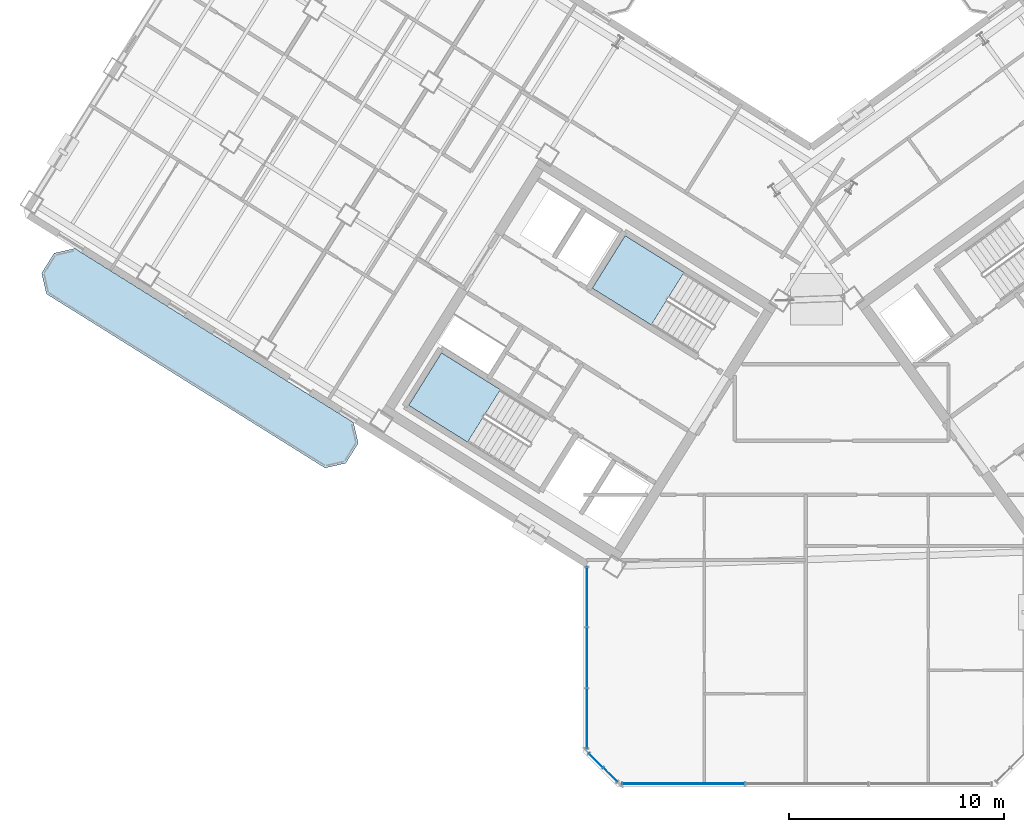
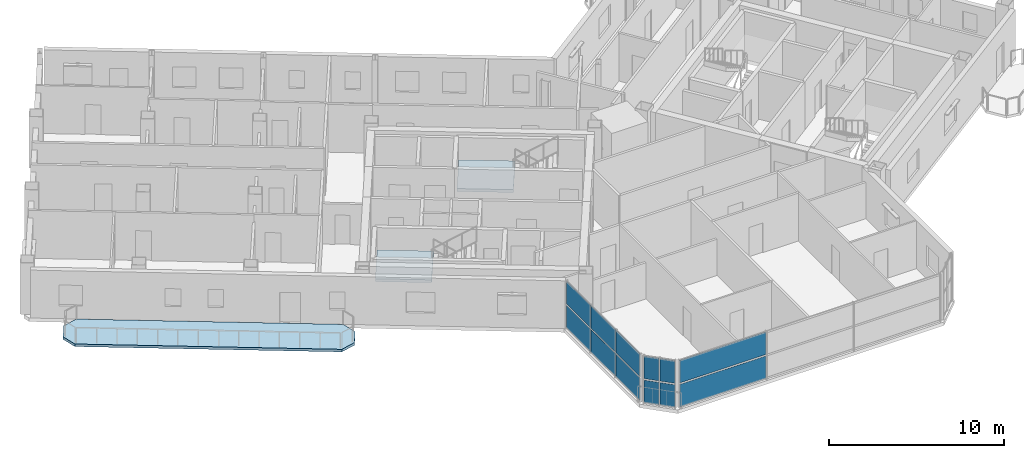
# One storey, part 8 of 23: 12 plates, 3 slabs, 5 elements without a shape of their own.
"""IFC4 building model written with IfcOpenShell, lengths in metres."""

from ifc_helpers import new_model, si_unit, direction, frame, origin, origin_2d, place, context, subcontext, project, spatial, polyline, rectangle, outline, extrude, source, transform, mapped, material, layer, layer_set, type_object, element, aggregate, save


model = new_model("IFC4")

# Units and contexts
model_context = context("Model", 3, precision=1e-05, world=origin(), true_north=direction((0.0, 1.0)))
body_context = subcontext(model_context, "Body", "Model", "MODEL_VIEW")
ifc_project = project(units=[si_unit("LENGTHUNIT", "METRE"), si_unit("AREAUNIT", "SQUARE_METRE"), si_unit("VOLUMEUNIT", "CUBIC_METRE"), si_unit("PLANEANGLEUNIT", "RADIAN"), si_unit("MASSUNIT", "GRAM", prefix="KILO")], contexts=[model_context])

# Site, building, storey
site_placement = place(None, origin())
site = spatial("IfcSite", under=ifc_project, at=site_placement, CompositionType="ELEMENT")
building_placement = place(site_placement, origin())
building = spatial("IfcBuilding", under=site, at=building_placement, Name="Tlacorven Tower", CompositionType="ELEMENT")
storey_placement = place(building_placement, frame((0.0, 0.0, 218.39990234375)))
storey = spatial("IfcBuildingStorey", under=building, at=storey_placement, Name="L55", CompositionType="ELEMENT", Elevation=218.39990234375)

# Slab
ifc_material_1 = material(Name="Precast concrete C45/55", Category="concrete")
ifc_layer_1 = layer(ifc_material_1, 0.179931640625)
ifc_layer_set_1 = layer_set([ifc_layer_1], Name="Precast concrete C45/55")
slab_type_1 = type_object("IfcSlabType", Name="SL-BAL-180", PredefinedType="USERDEFINED", material=ifc_layer_set_1)
slab_1_placement = place(storey_placement, frame((0.0, 0.0, -0.179931640625)))
element("IfcSlab", 1, at=slab_1_placement, inside=storey, type_object=slab_type_1, Name="L55 West Wing Balcony Ribbon OUT", ObjectType="BALCONY SLAB", PredefinedType="USERDEFINED", context=body_context, shape_type="SweptSolid", body=[
    extrude(outline(polyline([(20.88671875, 18.78271484375), (7.91162109375, 26.890625), (6.947021484375, 26.66796875), (6.366943359375, 25.7392578125), (6.589599609375, 24.774658203125), (19.564697265625, 16.6669921875), (20.529296875, 16.8896484375), (21.109375, 17.818115234375), (20.88671875, 18.78271484375)])), origin(), (0.0, 0.0, 1.0), 0.179931640625),
])

# Stair, slab
ifc_material_2 = material(Name="Concrete C40/50", Category="concrete")
stair_type = type_object("IfcStairType", Name="ST-CORE-DLG", PredefinedType="HALF_TURN_STAIR", material=ifc_material_2)
stair_1_placement = place(storey_placement, origin())
stair_1 = element("IfcStair", 2, at=stair_1_placement, inside=storey, type_object=stair_type, Name="L55 Protected Exit Stair West 1", PredefinedType="HALF_TURN_STAIR")
ifc_layer_2 = layer(ifc_material_2, 0.199951171875)
ifc_layer_set_2 = layer_set([ifc_layer_2], Name="Concrete C40/50")
slab_type_2 = type_object("IfcSlabType", Name="SL-LND-200", PredefinedType="LANDING", material=ifc_layer_set_2)
slab_2_placement = place(storey_placement, frame((0.0, 0.0, 1.60009765625)))
slab_2 = element("IfcSlab", 3, at=slab_2_placement, type_object=slab_type_2, Name="ST-W1 landing 1", PredefinedType="LANDING", context=body_context, shape_type="SweptSolid", body=[
    extrude(outline(polyline([(27.728515625, 20.315185546875), (24.9892578125, 22.02685546875), (23.463134765625, 19.58447265625), (26.2021484375, 17.872802734375), (27.728515625, 20.315185546875)])), origin(), (0.0, 0.0, 1.0), 0.199951171875),
])
aggregate(stair_1, [slab_2])

stair_2_placement = place(storey_placement, origin())
stair_2 = element("IfcStair", 4, at=stair_2_placement, inside=storey, type_object=stair_type, Name="L55 Protected Exit Stair West 2", PredefinedType="HALF_TURN_STAIR")
slab_3_placement = place(storey_placement, frame((0.0, 0.0, 1.60009765625)))
slab_3 = element("IfcSlab", 5, at=slab_3_placement, type_object=slab_type_2, Name="ST-W2 landing 1", PredefinedType="LANDING", context=body_context, shape_type="SweptSolid", body=[
    extrude(outline(polyline([(36.280029296875, 25.772705078125), (33.540771484375, 27.484375), (32.0146484375, 25.0419921875), (34.75390625, 23.33056640625), (36.280029296875, 25.772705078125)])), origin(), (0.0, 0.0, 1.0), 0.199951171875),
])
aggregate(stair_2, [slab_3])

# Curtain wall, plates
ifc_material_3 = material(Name="Dark solar low-E double glazing in aluminium frame", Category="aluminium")
curtain_wall_type = type_object("IfcCurtainWallType", Name="CW-TWR-HIGH", PredefinedType="USERDEFINED", material=ifc_material_3)
curtain_wall_1_placement = place(storey_placement, origin())
curtain_wall_1 = element("IfcCurtainWall", 6, at=curtain_wall_1_placement, inside=storey, type_object=curtain_wall_type, Name="L55 CW-TWR-HIGH Curtain Wall 251", ObjectType="UNITISED CURTAIN WALL", PredefinedType="USERDEFINED")
ifc_material_4 = material(Name="High-wind dark solar tempered low-E glazing", Category="glass")
ifc_layer_3 = layer(ifc_material_4, 0.028076171875)
ifc_layer_set_3 = layer_set([ifc_layer_3], Name="High-wind dark solar tempered low-E glazing")
plate_type = type_object("IfcPlateType", Name="CWP-03", PredefinedType="CURTAIN_PANEL", material=ifc_layer_set_3)
shared_shape_1 = source(origin(), body_context, "Body", "SweptSolid", [
    extrude(rectangle(XDim=0.89306640625, YDim=0.028076171875, at=origin_2d()), origin(), (0.0, 0.0, 1.0), 1.572998046875),
])
plate_1_placement = place(storey_placement, frame((32.84375, 2.382568359375, 0.05126953125), z_axis=(0.0, 0.0, 1.0), x_axis=(-0.707106781187, 0.707106781187, 0.0)))
plate_1 = element("IfcPlate", 7, at=plate_1_placement, type_object=plate_type, Name="CW-L55-251 Glazing Panel 1", PredefinedType="CURTAIN_PANEL", context=body_context, shape_type="MappedRepresentation", body=[
    mapped(shared_shape_1, transform((0.0, 0.0, 0.0), scale=1.0)),
])
plate_2_placement = place(storey_placement, frame((32.84375, 2.382568359375, 1.72607421875), z_axis=(0.0, 0.0, 1.0), x_axis=(-0.707106781187, 0.707106781187, 0.0)))
plate_2 = element("IfcPlate", 8, at=plate_2_placement, type_object=plate_type, Name="CW-L55-251 Glazing Panel 2", PredefinedType="CURTAIN_PANEL", context=body_context, shape_type="MappedRepresentation", body=[
    mapped(shared_shape_1, transform((0.0, 0.0, 0.0), scale=1.0)),
])
plate_3_placement = place(storey_placement, frame((32.1826171875, 3.043701171875, 0.05126953125), z_axis=(0.0, 0.0, 1.0), x_axis=(-0.707106781187, 0.707106781187, 0.0)))
plate_3 = element("IfcPlate", 9, at=plate_3_placement, type_object=plate_type, Name="CW-L55-251 Glazing Panel 3", PredefinedType="CURTAIN_PANEL", context=body_context, shape_type="MappedRepresentation", body=[
    mapped(shared_shape_1, transform((0.0, 0.0, 0.0), scale=1.0)),
])
plate_4_placement = place(storey_placement, frame((32.1826171875, 3.043701171875, 1.72607421875), z_axis=(0.0, 0.0, 1.0), x_axis=(-0.707106781187, 0.707106781187, 0.0)))
plate_4 = element("IfcPlate", 10, at=plate_4_placement, type_object=plate_type, Name="CW-L55-251 Glazing Panel 4", PredefinedType="CURTAIN_PANEL", context=body_context, shape_type="MappedRepresentation", body=[
    mapped(shared_shape_1, transform((0.0, 0.0, 0.0), scale=1.0)),
])
aggregate(curtain_wall_1, [plate_1, plate_2, plate_3, plate_4])

curtain_wall_2_placement = place(storey_placement, origin())
curtain_wall_2 = element("IfcCurtainWall", 11, at=curtain_wall_2_placement, inside=storey, type_object=curtain_wall_type, Name="L55 CW-TWR-HIGH Curtain Wall 250", ObjectType="UNITISED CURTAIN WALL", PredefinedType="USERDEFINED")
shared_shape_2 = source(origin(), body_context, "Body", "SweptSolid", [
    extrude(rectangle(XDim=5.683837890625, YDim=0.028076171875, at=origin_2d()), origin(), (0.0, 0.0, 1.0), 1.572998046875),
])
plate_5_placement = place(storey_placement, frame((36.25927734375, 1.9599609375, 0.05126953125), z_axis=(0.0, 0.0, 1.0), x_axis=(-1.0, 0.0, 0.0)))
plate_5 = element("IfcPlate", 12, at=plate_5_placement, type_object=plate_type, Name="CW-L55-250 Glazing Panel 5", PredefinedType="CURTAIN_PANEL", context=body_context, shape_type="MappedRepresentation", body=[
    mapped(shared_shape_2, transform((0.0, 0.0, 0.0), scale=1.0)),
])
plate_6_placement = place(storey_placement, frame((36.25927734375, 1.9599609375, 1.72607421875), z_axis=(0.0, 0.0, 1.0), x_axis=(-1.0, 0.0, 0.0)))
plate_6 = element("IfcPlate", 13, at=plate_6_placement, type_object=plate_type, Name="CW-L55-250 Glazing Panel 6", PredefinedType="CURTAIN_PANEL", context=body_context, shape_type="MappedRepresentation", body=[
    mapped(shared_shape_2, transform((0.0, 0.0, 0.0), scale=1.0)),
])
aggregate(curtain_wall_2, [plate_5, plate_6])

curtain_wall_3_placement = place(storey_placement, origin())
curtain_wall_3 = element("IfcCurtainWall", 14, at=curtain_wall_3_placement, inside=storey, type_object=curtain_wall_type, Name="L55 CW-TWR-HIGH Curtain Wall 252", ObjectType="UNITISED CURTAIN WALL", PredefinedType="USERDEFINED")
shared_shape_3 = source(origin(), body_context, "Body", "SweptSolid", [
    extrude(rectangle(XDim=2.766845703125, YDim=0.028076171875, at=origin_2d()), origin(), (0.0, 0.0, 1.0), 1.572998046875),
])
plate_7_placement = place(storey_placement, frame((31.760009765625, 5.000732421875, 0.05126953125), z_axis=(0.0, 0.0, 1.0), x_axis=(0.0, 1.0, 0.0)))
plate_7 = element("IfcPlate", 15, at=plate_7_placement, type_object=plate_type, Name="CW-L55-252 Glazing Panel 1", PredefinedType="CURTAIN_PANEL", context=body_context, shape_type="MappedRepresentation", body=[
    mapped(shared_shape_3, transform((0.0, 0.0, 0.0), scale=1.0)),
])
plate_8_placement = place(storey_placement, frame((31.760009765625, 5.000732421875, 1.72607421875), z_axis=(0.0, 0.0, 1.0), x_axis=(0.0, 1.0, 0.0)))
plate_8 = element("IfcPlate", 16, at=plate_8_placement, type_object=plate_type, Name="CW-L55-252 Glazing Panel 2", PredefinedType="CURTAIN_PANEL", context=body_context, shape_type="MappedRepresentation", body=[
    mapped(shared_shape_3, transform((0.0, 0.0, 0.0), scale=1.0)),
])
plate_9_placement = place(storey_placement, frame((31.760009765625, 10.648681640625, 0.05126953125), z_axis=(0.0, 0.0, 1.0), x_axis=(0.0, 1.0, 0.0)))
plate_9 = element("IfcPlate", 17, at=plate_9_placement, type_object=plate_type, Name="CW-L55-252 Glazing Panel 5", PredefinedType="CURTAIN_PANEL", context=body_context, shape_type="MappedRepresentation", body=[
    mapped(shared_shape_3, transform((0.0, 0.0, 0.0), scale=1.0)),
])
plate_10_placement = place(storey_placement, frame((31.760009765625, 10.648681640625, 1.72607421875), z_axis=(0.0, 0.0, 1.0), x_axis=(0.0, 1.0, 0.0)))
plate_10 = element("IfcPlate", 18, at=plate_10_placement, type_object=plate_type, Name="CW-L55-252 Glazing Panel 6", PredefinedType="CURTAIN_PANEL", context=body_context, shape_type="MappedRepresentation", body=[
    mapped(shared_shape_3, transform((0.0, 0.0, 0.0), scale=1.0)),
])
shared_shape_4 = source(origin(), body_context, "Body", "SweptSolid", [
    extrude(rectangle(XDim=2.796875, YDim=0.028076171875, at=origin_2d()), origin(), (0.0, 0.0, 1.0), 1.572998046875),
])
plate_11_placement = place(storey_placement, frame((31.760009765625, 7.82470703125, 0.05126953125), z_axis=(0.0, 0.0, 1.0), x_axis=(0.0, 1.0, 0.0)))
plate_11 = element("IfcPlate", 19, at=plate_11_placement, type_object=plate_type, Name="CW-L55-252 Glazing Panel 3", PredefinedType="CURTAIN_PANEL", context=body_context, shape_type="MappedRepresentation", body=[
    mapped(shared_shape_4, transform((0.0, 0.0, 0.0), scale=1.0)),
])
plate_12_placement = place(storey_placement, frame((31.760009765625, 7.82470703125, 1.72607421875), z_axis=(0.0, 0.0, 1.0), x_axis=(0.0, 1.0, 0.0)))
plate_12 = element("IfcPlate", 20, at=plate_12_placement, type_object=plate_type, Name="CW-L55-252 Glazing Panel 4", PredefinedType="CURTAIN_PANEL", context=body_context, shape_type="MappedRepresentation", body=[
    mapped(shared_shape_4, transform((0.0, 0.0, 0.0), scale=1.0)),
])
aggregate(curtain_wall_3, [plate_7, plate_8, plate_11, plate_12, plate_9, plate_10])

save(model, "model.ifc")
